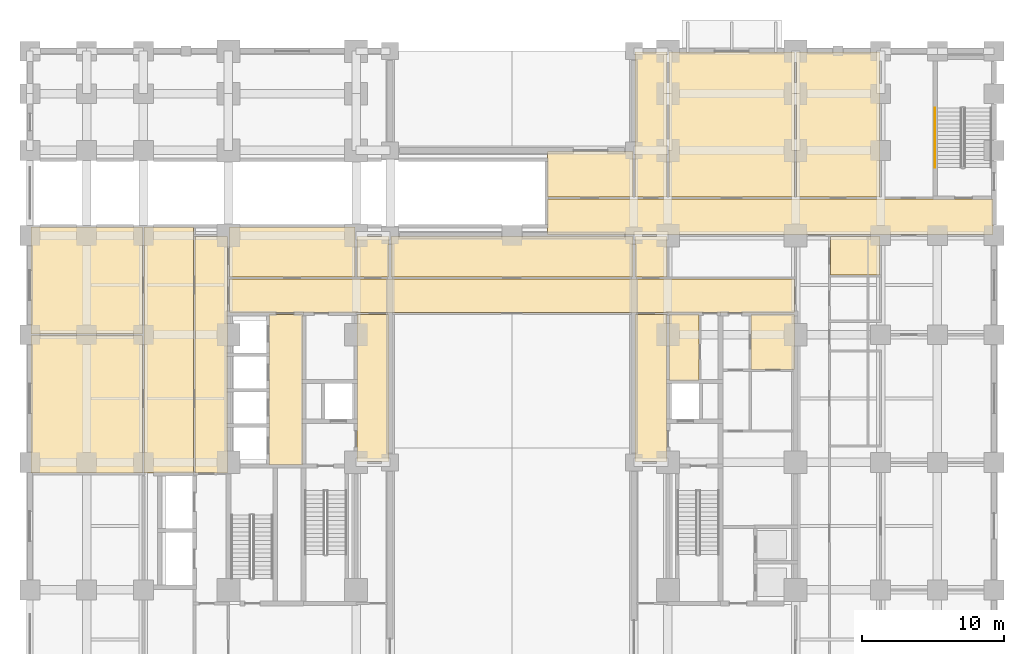
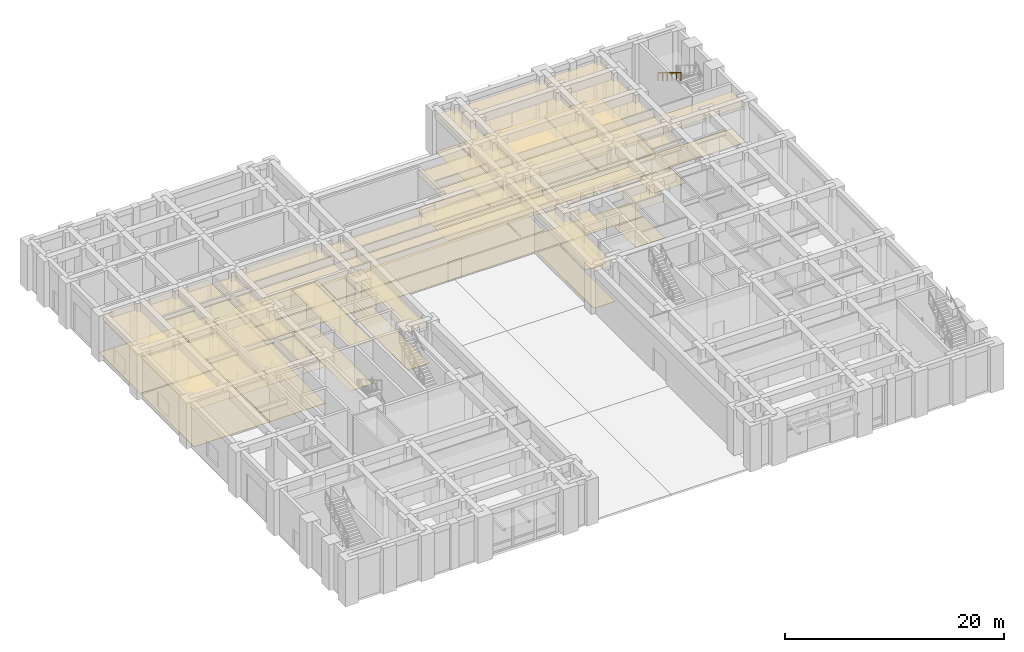
# One storey, part 17 of 20: 40 coverings, 1 railing.
"""IFC4 building model written with IfcOpenShell, lengths in metres."""

import ifcopenshell
import ifcopenshell.guid

model = None  # the IFC model being written
_history = None  # IfcOwnerHistory: only IFC2X3 demands one
_inside = {}  # id of a spatial element -> (the spatial element, [elements in it])
_under = {}  # id of a project, library or spatial element -> (it, [spatial elements below it])
_declared = {}  # id of a project -> (the project, [libraries it declares])
_typed = {}  # id of a type object -> (the type object, [elements of that type])
_made_of = {}  # id of a material, layer set ... -> (it, [elements and type objects made of it])


def new_model(schema):
    """Start an empty IFC model of exactly this schema.

    Asked for "IFC4X3", IfcOpenShell would pick the latest addendum, in which some entities
    have other attributes; the version numbers below select the first issue.
    IFC2X3 requires an IfcOwnerHistory on every rooted entity: one is made here for all.
    """
    global model, _history
    if schema == "IFC4X3":
        model = ifcopenshell.file(schema_version=(4, 3, 0, 0))
    else:
        model = ifcopenshell.file(schema=schema)
    _inside.clear()
    _under.clear()
    _declared.clear()
    _typed.clear()
    _made_of.clear()
    _history = None
    if model.schema == "IFC2X3":
        org = make("IfcOrganization", Name="unknown")
        user = make(
            "IfcPersonAndOrganization",
            ThePerson=make("IfcPerson", FamilyName="unknown"),
            TheOrganization=org,
        )
        app = make(
            "IfcApplication",
            ApplicationDeveloper=org,
            Version="unknown",
            ApplicationFullName="unknown",
            ApplicationIdentifier="unknown",
        )
        _history = make(
            "IfcOwnerHistory",
            OwningUser=user,
            OwningApplication=app,
            ChangeAction="ADDED",
            CreationDate=0,
        )
    return model


def make(cls, **values):
    """One entity of the class cls with the attributes given. An attribute that is None is left unset."""
    return model.create_entity(
        cls, **{name: value for name, value in values.items() if value is not None}
    )


def rooted(cls, **values):
    """An entity with a GlobalId (a new one), such as an element, a storey or a relation."""
    return make(cls, GlobalId=ifcopenshell.guid.new(), OwnerHistory=_history, **values)


def si_unit(unit_type, name, prefix=None):
    """IfcSIUnit, for example si_unit("LENGTHUNIT", "METRE", prefix="MILLI")."""
    return make("IfcSIUnit", UnitType=unit_type, Prefix=prefix, Name=name)


def assignment(units):
    """IfcUnitAssignment: the units of a project."""
    return None if units is None else make("IfcUnitAssignment", Units=units)


def point(xyz):
    """IfcCartesianPoint."""
    return None if xyz is None else make("IfcCartesianPoint", Coordinates=xyz)


def direction(xyz):
    """IfcDirection."""
    return None if xyz is None else make("IfcDirection", DirectionRatios=xyz)


def frame(location, z_axis=None, x_axis=None):
    """IfcAxis2Placement3D, a coordinate frame: its origin and axes. An axis left out is left unset."""
    return make(
        "IfcAxis2Placement3D",
        Location=point(location),
        Axis=direction(z_axis),
        RefDirection=direction(x_axis),
    )


def frame_2d(location, x_axis=None):
    """IfcAxis2Placement2D, a coordinate frame in the plane: its origin and x axis."""
    return make(
        "IfcAxis2Placement2D", Location=point(location), RefDirection=direction(x_axis)
    )


def origin():
    """The frame at (0, 0, 0) with its axes left unset."""
    return frame((0.0, 0.0, 0.0))


def origin_2d():
    """The frame at (0, 0) in the plane with its x axis left unset."""
    return frame_2d((0.0, 0.0))


def place(relative_to, where):
    """IfcLocalPlacement: puts the frame where relative to a parent placement (None: the world)."""
    return make(
        "IfcLocalPlacement", PlacementRelTo=relative_to, RelativePlacement=where
    )


def context(
    kind, dimensions, precision=None, world=None, true_north=None, identifier=None
):
    """IfcGeometricRepresentationContext, for example the 3D "Model" context."""
    return make(
        "IfcGeometricRepresentationContext",
        ContextIdentifier=identifier,
        ContextType=kind,
        CoordinateSpaceDimension=dimensions,
        Precision=precision,
        WorldCoordinateSystem=world,
        TrueNorth=true_north,
    )


def subcontext(parent, identifier, kind, view, scale=None):
    """IfcGeometricRepresentationSubContext, for example "Body" below "Model"."""
    return make(
        "IfcGeometricRepresentationSubContext",
        ContextIdentifier=identifier,
        ContextType=kind,
        ParentContext=parent,
        TargetScale=scale,
        TargetView=view,
    )


def project(units=None, contexts=None):
    """IfcProject with its units and contexts."""
    return rooted(
        "IfcProject",
        Name="project",
        RepresentationContexts=contexts,
        UnitsInContext=assignment(units),
    )


def spatial(cls, under=None, at=None, **own):
    """A site, building, storey or space (cls), placed at a placement, below another one or the project."""
    s = rooted(cls, ObjectPlacement=at, **own)
    if under is not None:
        _under.setdefault(under.id(), (under, []))[1].append(s)
    return s


def polyline(points):
    """IfcPolyline through the points."""
    return make("IfcPolyline", Points=[point(p) for p in points])


def profile(cls, at=None, kind="AREA", **sizes):
    """A parametric profile (cls). Its sizes go by their IFC names, for example OverallWidth=200.0."""
    return make(cls, ProfileType=kind, Position=at, **sizes)


def rectangle(**sizes):
    """IfcRectangleProfileDef."""
    return profile("IfcRectangleProfileDef", **sizes)


def outline(outer, holes=None, kind="AREA"):
    """IfcArbitraryClosedProfileDef: a profile drawn as a closed curve; with holes, ...WithVoids."""
    if holes is None:
        return make("IfcArbitraryClosedProfileDef", ProfileType=kind, OuterCurve=outer)
    return make(
        "IfcArbitraryProfileDefWithVoids",
        ProfileType=kind,
        OuterCurve=outer,
        InnerCurves=holes,
    )


def extrude(swept, where, along, depth):
    """IfcExtrudedAreaSolid: the profile swept, set in the frame where, extruded along a direction by depth."""
    return make(
        "IfcExtrudedAreaSolid",
        SweptArea=swept,
        Position=where,
        ExtrudedDirection=direction(along),
        Depth=depth,
    )


def shape(context_of_items, identifier, shape_type, items):
    """IfcShapeRepresentation: the items that make up one representation, for example the "Body"."""
    return make(
        "IfcShapeRepresentation",
        ContextOfItems=context_of_items,
        RepresentationIdentifier=identifier,
        RepresentationType=shape_type,
        Items=items,
    )


def material(Name=None, Category=None):
    """IfcMaterial."""
    return make("IfcMaterial", Name=Name, Category=Category)


def layer(
    of_material, thickness, ventilated=None, Name=None, Category=None, Priority=None
):
    """IfcMaterialLayer: one layer of a wall or slab, of a material (None: an air gap)."""
    return make(
        "IfcMaterialLayer",
        Material=of_material,
        LayerThickness=thickness,
        IsVentilated=ventilated,
        Name=Name,
        Category=Category,
        Priority=Priority,
    )


def layer_set(layers, Name=None):
    """IfcMaterialLayerSet."""
    return make("IfcMaterialLayerSet", MaterialLayers=layers, LayerSetName=Name)


def made_of(thing, what):
    """Note that an element or type object is made of a material, layer set ...; save() writes the relation."""
    if what is not None:
        _made_of.setdefault(what.id(), (what, []))[1].append(thing)
    return thing


def type_object(cls, material=None, **own):
    """A type object (cls), such as IfcWallType, which elements share."""
    return made_of(rooted(cls, **own), material)


def element(
    cls,
    number,
    at=None,
    inside=None,
    cuts=None,
    type_object=None,
    material=None,
    context=None,
    identifier="Body",
    shape_type=None,
    held_by="IfcProductDefinitionShape",
    body=None,
    shapes=None,
    **own,
):
    """One element of the class cls, such as IfcWall. Its Tag is "e" and its number.

    at: its placement. inside: the storey or other place that contains it. cuts: it is an
    opening in that element (IfcRelVoidsElement). A single representation is given by context,
    identifier, shape_type and body (its items); several are given by shapes. held_by: the class
    of the entity that holds the representations. save() writes the other relations.
    """
    e = rooted(cls, Tag="e%d" % number, ObjectPlacement=at, **own)
    if body is not None:
        shapes = [shape(context, identifier, shape_type, body)]
    if shapes is not None:
        e.Representation = make(held_by, Representations=shapes)
    if inside is not None:
        _inside.setdefault(inside.id(), (inside, []))[1].append(e)
    if cuts is not None:
        rooted(
            "IfcRelVoidsElement", RelatingBuildingElement=cuts, RelatedOpeningElement=e
        )
    if type_object is not None:
        _typed.setdefault(type_object.id(), (type_object, []))[1].append(e)
    return made_of(e, material)


def aggregate(whole, parts):
    """IfcRelAggregates: a whole, such as a stair, and the parts it consists of."""
    return rooted("IfcRelAggregates", RelatingObject=whole, RelatedObjects=parts)


def save(model, path):
    """Write the relations noted so far, then the file.

    IfcRelAggregates (storeys below a building ...), IfcRelContainedInSpatialStructure (elements
    in a storey), IfcRelDefinesByType, IfcRelAssociatesMaterial and IfcRelDeclares: one each for
    every whole, place, type object, material and project.
    """
    for whole, parts in _under.values():
        aggregate(whole, parts)
    for where, things in _inside.values():
        rooted(
            "IfcRelContainedInSpatialStructure",
            RelatedElements=things,
            RelatingStructure=where,
        )
    for kind, things in _typed.values():
        rooted("IfcRelDefinesByType", RelatedObjects=things, RelatingType=kind)
    for what, things in _made_of.values():
        rooted("IfcRelAssociatesMaterial", RelatedObjects=things, RelatingMaterial=what)
    for by, libraries in _declared.values():
        rooted("IfcRelDeclares", RelatingContext=by, RelatedDefinitions=libraries)
    model.write(path)


model = new_model("IFC4")

# Units and contexts
model_context = context("Model", 3, precision=1e-05, world=origin(), true_north=direction((0.0, 1.0)))
body_context = subcontext(model_context, "Body", "Model", "MODEL_VIEW")
ifc_project = project(units=[si_unit("LENGTHUNIT", "METRE"), si_unit("AREAUNIT", "SQUARE_METRE"), si_unit("VOLUMEUNIT", "CUBIC_METRE"), si_unit("PLANEANGLEUNIT", "RADIAN"), si_unit("MASSUNIT", "GRAM", prefix="KILO")], contexts=[model_context])

# Site, building, storey
site_placement = place(None, origin())
site = spatial("IfcSite", under=ifc_project, at=site_placement, CompositionType="ELEMENT")
building_placement = place(site_placement, origin())
building = spatial("IfcBuilding", under=site, at=building_placement, Name="Zulmaris Gate Convention Tower", CompositionType="ELEMENT")
storey_placement = place(building_placement, origin())
storey = spatial("IfcBuildingStorey", under=building, at=storey_placement, Name="L00", CompositionType="ELEMENT", Elevation=0.0)

# Coverings
ifc_material_1 = material(Name="Mineral Fibre Acoustic Ceiling Tile")
ifc_layer_1 = layer(ifc_material_1, 0.02001953125, Name="Mineral Fibre Acoustic Ceiling Tile")
ifc_layer_set_1 = layer_set([ifc_layer_1], Name="Mineral Fibre Acoustic Ceiling Tile")
covering_type_1 = type_object("IfcCoveringType", Name="CLG-ACOUSTIC-600", PredefinedType="CEILING", material=ifc_layer_set_1)
covering_1_placement = place(storey_placement, frame((0.0, 0.0, 4.099853515625)))
element("IfcCovering", 1, at=covering_1_placement, inside=storey, type_object=covering_type_1, Name="CLG-L00-R12", PredefinedType="CEILING", context=body_context, shape_type="SweptSolid", body=[
    extrude(outline(polyline([(11.06005859375, 5.760009765625), (13.18994140625, 5.760009765625), (13.18994140625, 10.43994140625), (11.06005859375, 10.43994140625), (11.06005859375, 5.760009765625)])), origin(), (0.0, 0.0, 1.0), 0.02001953125),
])
covering_2_placement = place(storey_placement, frame((0.0, 0.0, 4.809814453125)))
element("IfcCovering", 2, at=covering_2_placement, inside=storey, type_object=covering_type_1, Name="CLG-L00-R16", PredefinedType="CEILING", context=body_context, shape_type="SweptSolid", body=[
    extrude(outline(polyline([(-17.139892578125, -0.18994140625), (-14.760009765625, -0.18994140625), (-14.760009765625, 10.43994140625), (-17.139892578125, 10.43994140625), (-17.139892578125, -0.18994140625)])), origin(), (0.0, 0.0, 1.0), 0.02001953125),
])
covering_3_placement = place(storey_placement, frame((0.0, 0.0, 4.099853515625)))
element("IfcCovering", 3, at=covering_3_placement, inside=storey, type_object=covering_type_1, Name="CLG-L00-R27", PredefinedType="CEILING", context=body_context, shape_type="SweptSolid", body=[
    extrude(outline(polyline([(16.860107421875, 6.56005859375), (19.93994140625, 6.56005859375), (19.93994140625, 10.43994140625), (16.860107421875, 10.43994140625), (16.860107421875, 6.56005859375)])), origin(), (0.0, 0.0, 1.0), 0.02001953125),
])
covering_4_placement = place(storey_placement, frame((0.0, 0.0, 4.099853515625)))
element("IfcCovering", 4, at=covering_4_placement, inside=storey, type_object=covering_type_1, Name="CLG-L00-R36", PredefinedType="CEILING", context=body_context, shape_type="SweptSolid", body=[
    extrude(outline(polyline([(-10.93994140625, 0.06005859375), (-8.659912109375, 0.06005859375), (-8.659912109375, 10.43994140625), (-10.93994140625, 10.43994140625), (-10.93994140625, 0.06005859375)])), origin(), (0.0, 0.0, 1.0), 0.02001953125),
])
covering_5_placement = place(storey_placement, frame((0.0, 0.0, 4.099853515625)))
element("IfcCovering", 5, at=covering_5_placement, inside=storey, type_object=covering_type_1, Name="CLG-L00-R38", PredefinedType="CEILING", context=body_context, shape_type="SweptSolid", body=[
    extrude(outline(polyline([(8.659912109375, 0.06005859375), (10.93994140625, 0.06005859375), (10.93994140625, 10.43994140625), (8.659912109375, 10.43994140625), (8.659912109375, 0.06005859375)])), origin(), (0.0, 0.0, 1.0), 0.02001953125),
])
covering_6_placement = place(storey_placement, frame((0.0, 0.0, 4.099853515625)))
element("IfcCovering", 6, at=covering_6_placement, inside=storey, type_object=covering_type_1, Name="CLG-L00-R40", PredefinedType="CEILING", context=body_context, shape_type="SweptSolid", body=[
    extrude(outline(polyline([(-10.93994140625, 13.06005859375), (-8.659912109375, 13.06005859375), (-8.659912109375, 15.93994140625), (-10.93994140625, 15.93994140625), (-10.93994140625, 13.06005859375)])), origin(), (0.0, 0.0, 1.0), 0.02001953125),
])
covering_7_placement = place(storey_placement, frame((0.0, 0.0, 4.099853515625)))
element("IfcCovering", 7, at=covering_7_placement, inside=storey, type_object=covering_type_1, Name="CLG-L00-R41", PredefinedType="CEILING", context=body_context, shape_type="SweptSolid", body=[
    extrude(outline(polyline([(8.659912109375, 13.06005859375), (10.93994140625, 13.06005859375), (10.93994140625, 15.93994140625), (8.659912109375, 15.93994140625), (8.659912109375, 13.06005859375)])), origin(), (0.0, 0.0, 1.0), 0.02001953125),
])
covering_8_placement = place(storey_placement, frame((0.0, 0.0, 4.099853515625)))
element("IfcCovering", 8, at=covering_8_placement, inside=storey, type_object=covering_type_1, Name="CLG-L00-R42", PredefinedType="CEILING", context=body_context, shape_type="SweptSolid", body=[
    extrude(outline(polyline([(2.510009765625, 16.06005859375), (33.93994140625, 16.06005859375), (33.93994140625, 18.590087890625), (2.510009765625, 18.590087890625), (2.510009765625, 16.06005859375)])), origin(), (0.0, 0.0, 1.0), 0.02001953125),
])
covering_9_placement = place(storey_placement, frame((0.0, 0.0, 4.099853515625)))
element("IfcCovering", 9, at=covering_9_placement, inside=storey, type_object=covering_type_1, Name="CLG-L00-R43", PredefinedType="CEILING", context=body_context, shape_type="SweptSolid", body=[
    extrude(outline(polyline([(-19.93994140625, 13.06005859375), (-11.06005859375, 13.06005859375), (-11.06005859375, 16.590087890625), (-19.93994140625, 16.590087890625), (-19.93994140625, 13.06005859375)])), origin(), (0.0, 0.0, 1.0), 0.02001953125),
])
covering_10_placement = place(storey_placement, frame((0.0, 0.0, 4.099853515625)))
element("IfcCovering", 10, at=covering_10_placement, inside=storey, type_object=covering_type_1, Name="CLG-L00-R44", PredefinedType="CEILING", context=body_context, shape_type="SweptSolid", body=[
    extrude(outline(polyline([(-19.93994140625, 10.56005859375), (19.93994140625, 10.56005859375), (19.93994140625, 12.93994140625), (-19.93994140625, 12.93994140625), (-19.93994140625, 10.56005859375)])), origin(), (0.0, 0.0, 1.0), 0.02001953125),
])
covering_11_placement = place(storey_placement, frame((0.0, 0.0, 4.099853515625)))
element("IfcCovering", 11, at=covering_11_placement, inside=storey, type_object=covering_type_1, Name="CLG-L00-R45", PredefinedType="CEILING", context=body_context, shape_type="SweptSolid", body=[
    extrude(outline(polyline([(-22.340087890625, -0.739990234375), (-20.06005859375, -0.739990234375), (-20.06005859375, 15.93994140625), (-22.340087890625, 15.93994140625), (-22.340087890625, -0.739990234375)])), origin(), (0.0, 0.0, 1.0), 0.02001953125),
])
covering_12_placement = place(storey_placement, frame((0.0, 0.0, 4.099853515625)))
element("IfcCovering", 12, at=covering_12_placement, inside=storey, type_object=covering_type_1, Name="CLG-L00-R55", PredefinedType="CEILING", context=body_context, shape_type="SweptSolid", body=[
    extrude(outline(polyline([(2.510009765625, 18.7099609375), (8.5400390625, 18.7099609375), (8.5400390625, 21.93994140625), (2.510009765625, 21.93994140625), (2.510009765625, 18.7099609375)])), origin(), (0.0, 0.0, 1.0), 0.02001953125),
])
covering_13_placement = place(storey_placement, frame((0.0, 0.0, 4.099853515625)))
element("IfcCovering", 13, at=covering_13_placement, inside=storey, type_object=covering_type_1, Name="CLG-L00-R57", PredefinedType="CEILING", context=body_context, shape_type="SweptSolid", body=[
    extrude(outline(polyline([(-8.5400390625, 13.06005859375), (8.5400390625, 13.06005859375), (8.5400390625, 15.93994140625), (-8.5400390625, 15.93994140625), (-8.5400390625, 13.06005859375)])), origin(), (0.0, 0.0, 1.0), 0.02001953125),
])
covering_14_placement = place(storey_placement, frame((0.0, 0.0, 4.099853515625)))
element("IfcCovering", 14, at=covering_14_placement, inside=storey, type_object=covering_type_1, Name="CLG-L00-R64", PredefinedType="CEILING", context=body_context, shape_type="SweptSolid", body=[
    extrude(outline(polyline([(-25.93994140625, -0.739990234375), (-22.4599609375, -0.739990234375), (-22.4599609375, 16.590087890625), (-25.93994140625, 16.590087890625), (-25.93994140625, -0.739990234375)])), origin(), (0.0, 0.0, 1.0), 0.02001953125),
])
covering_15_placement = place(storey_placement, frame((0.0, 0.0, 4.099853515625)))
element("IfcCovering", 15, at=covering_15_placement, inside=storey, type_object=covering_type_1, Name="CLG-L00-R66", PredefinedType="CEILING", context=body_context, shape_type="SweptSolid", body=[
    extrude(outline(polyline([(-33.93994140625, 9.06005859375), (-26.06005859375, 9.06005859375), (-26.06005859375, 16.590087890625), (-33.93994140625, 16.590087890625), (-33.93994140625, 9.06005859375)])), origin(), (0.0, 0.0, 1.0), 0.02001953125),
])
covering_16_placement = place(storey_placement, frame((0.0, 0.0, 4.099853515625)))
element("IfcCovering", 16, at=covering_16_placement, inside=storey, type_object=covering_type_1, Name="CLG-L00-R76", PredefinedType="CEILING", context=body_context, shape_type="SweptSolid", body=[
    extrude(outline(polyline([(22.4599609375, 13.2099609375), (25.93994140625, 13.2099609375), (25.93994140625, 15.93994140625), (22.4599609375, 15.93994140625), (22.4599609375, 13.2099609375)])), origin(), (0.0, 0.0, 1.0), 0.02001953125),
])
covering_17_placement = place(storey_placement, frame((0.0, 0.0, 4.099853515625)))
element("IfcCovering", 17, at=covering_17_placement, inside=storey, type_object=covering_type_1, Name="CLG-L00-R80", PredefinedType="CEILING", context=body_context, shape_type="SweptSolid", body=[
    extrude(outline(polyline([(8.659912109375, 18.7099609375), (10.93994140625, 18.7099609375), (10.93994140625, 28.93994140625), (8.659912109375, 28.93994140625), (8.659912109375, 18.7099609375)])), origin(), (0.0, 0.0, 1.0), 0.02001953125),
])
covering_18_placement = place(storey_placement, frame((0.0, 0.0, 4.099853515625)))
element("IfcCovering", 18, at=covering_18_placement, inside=storey, type_object=covering_type_1, Name="CLG-L00-R81", PredefinedType="CEILING", context=body_context, shape_type="SweptSolid", body=[
    extrude(outline(polyline([(11.06005859375, 18.7099609375), (19.93994140625, 18.7099609375), (19.93994140625, 28.93994140625), (11.06005859375, 28.93994140625), (11.06005859375, 18.7099609375)])), origin(), (0.0, 0.0, 1.0), 0.02001953125),
])
covering_19_placement = place(storey_placement, frame((0.0, 0.0, 4.099853515625)))
element("IfcCovering", 19, at=covering_19_placement, inside=storey, type_object=covering_type_1, Name="CLG-L00-R82", PredefinedType="CEILING", context=body_context, shape_type="SweptSolid", body=[
    extrude(outline(polyline([(20.06005859375, 18.7099609375), (25.93994140625, 18.7099609375), (25.93994140625, 28.93994140625), (20.06005859375, 28.93994140625), (20.06005859375, 18.7099609375)])), origin(), (0.0, 0.0, 1.0), 0.02001953125),
])
ifc_material_2 = material(Name="Moisture-Resistant Gypsum Board")
ifc_layer_2 = layer(ifc_material_2, 0.02001953125, Name="Moisture-Resistant Gypsum Board")
ifc_layer_set_2 = layer_set([ifc_layer_2], Name="Moisture-Resistant Gypsum Board")
covering_type_2 = type_object("IfcCoveringType", Name="CLG-GYPSUM-FLUSH", PredefinedType="CEILING", material=ifc_layer_set_2)
covering_20_placement = place(storey_placement, frame((0.0, 0.0, 4.099853515625)))
element("IfcCovering", 20, at=covering_20_placement, inside=storey, type_object=covering_type_2, Name="CLG-L00-R65", PredefinedType="CEILING", context=body_context, shape_type="SweptSolid", body=[
    extrude(outline(polyline([(-33.93994140625, -0.739990234375), (-26.06005859375, -0.739990234375), (-26.06005859375, 8.93994140625), (-33.93994140625, 8.93994140625), (-33.93994140625, -0.739990234375)])), origin(), (0.0, 0.0, 1.0), 0.02001953125),
])
ifc_material_3 = material(Name="Woven Acoustic Wool Carpet Tile")
ifc_layer_3 = layer(ifc_material_3, 0.02001953125, Name="Woven Acoustic Wool Carpet Tile")
ifc_layer_set_3 = layer_set([ifc_layer_3], Name="Woven Acoustic Wool Carpet Tile")
covering_type_3 = type_object("IfcCoveringType", Name="FLR-CARPET-12", PredefinedType="FLOORING", material=ifc_layer_set_3)
covering_21_placement = place(storey_placement, origin())
element("IfcCovering", 21, at=covering_21_placement, inside=storey, type_object=covering_type_3, Name="FLR-L00-R12", PredefinedType="FLOORING", context=body_context, shape_type="SweptSolid", body=[
    extrude(outline(polyline([(11.06005859375, 5.760009765625), (13.18994140625, 5.760009765625), (13.18994140625, 10.43994140625), (11.06005859375, 10.43994140625), (11.06005859375, 5.760009765625)])), origin(), (0.0, 0.0, 1.0), 0.02001953125),
])
covering_22_placement = place(storey_placement, origin())
element("IfcCovering", 22, at=covering_22_placement, inside=storey, type_object=covering_type_3, Name="FLR-L00-R16", PredefinedType="FLOORING", context=body_context, shape_type="SweptSolid", body=[
    extrude(outline(polyline([(-17.139892578125, -0.18994140625), (-14.760009765625, -0.18994140625), (-14.760009765625, 10.43994140625), (-17.139892578125, 10.43994140625), (-17.139892578125, -0.18994140625)])), origin(), (0.0, 0.0, 1.0), 0.02001953125),
])
covering_23_placement = place(storey_placement, origin())
element("IfcCovering", 23, at=covering_23_placement, inside=storey, type_object=covering_type_3, Name="FLR-L00-R27", PredefinedType="FLOORING", context=body_context, shape_type="SweptSolid", body=[
    extrude(outline(polyline([(16.860107421875, 6.56005859375), (19.93994140625, 6.56005859375), (19.93994140625, 10.43994140625), (16.860107421875, 10.43994140625), (16.860107421875, 6.56005859375)])), origin(), (0.0, 0.0, 1.0), 0.02001953125),
])
covering_24_placement = place(storey_placement, origin())
element("IfcCovering", 24, at=covering_24_placement, inside=storey, type_object=covering_type_3, Name="FLR-L00-R36", PredefinedType="FLOORING", context=body_context, shape_type="SweptSolid", body=[
    extrude(outline(polyline([(-10.93994140625, 0.06005859375), (-8.659912109375, 0.06005859375), (-8.659912109375, 10.43994140625), (-10.93994140625, 10.43994140625), (-10.93994140625, 0.06005859375)])), origin(), (0.0, 0.0, 1.0), 0.02001953125),
])
covering_25_placement = place(storey_placement, origin())
element("IfcCovering", 25, at=covering_25_placement, inside=storey, type_object=covering_type_3, Name="FLR-L00-R38", PredefinedType="FLOORING", context=body_context, shape_type="SweptSolid", body=[
    extrude(outline(polyline([(8.659912109375, 0.06005859375), (10.93994140625, 0.06005859375), (10.93994140625, 10.43994140625), (8.659912109375, 10.43994140625), (8.659912109375, 0.06005859375)])), origin(), (0.0, 0.0, 1.0), 0.02001953125),
])
covering_26_placement = place(storey_placement, origin())
element("IfcCovering", 26, at=covering_26_placement, inside=storey, type_object=covering_type_3, Name="FLR-L00-R40", PredefinedType="FLOORING", context=body_context, shape_type="SweptSolid", body=[
    extrude(outline(polyline([(-10.93994140625, 13.06005859375), (-8.659912109375, 13.06005859375), (-8.659912109375, 15.93994140625), (-10.93994140625, 15.93994140625), (-10.93994140625, 13.06005859375)])), origin(), (0.0, 0.0, 1.0), 0.02001953125),
])
covering_27_placement = place(storey_placement, origin())
element("IfcCovering", 27, at=covering_27_placement, inside=storey, type_object=covering_type_3, Name="FLR-L00-R41", PredefinedType="FLOORING", context=body_context, shape_type="SweptSolid", body=[
    extrude(outline(polyline([(8.659912109375, 13.06005859375), (10.93994140625, 13.06005859375), (10.93994140625, 15.93994140625), (8.659912109375, 15.93994140625), (8.659912109375, 13.06005859375)])), origin(), (0.0, 0.0, 1.0), 0.02001953125),
])
covering_28_placement = place(storey_placement, origin())
element("IfcCovering", 28, at=covering_28_placement, inside=storey, type_object=covering_type_3, Name="FLR-L00-R42", PredefinedType="FLOORING", context=body_context, shape_type="SweptSolid", body=[
    extrude(outline(polyline([(2.510009765625, 16.06005859375), (33.93994140625, 16.06005859375), (33.93994140625, 18.590087890625), (2.510009765625, 18.590087890625), (2.510009765625, 16.06005859375)])), origin(), (0.0, 0.0, 1.0), 0.02001953125),
])
covering_29_placement = place(storey_placement, origin())
element("IfcCovering", 29, at=covering_29_placement, inside=storey, type_object=covering_type_3, Name="FLR-L00-R43", PredefinedType="FLOORING", context=body_context, shape_type="SweptSolid", body=[
    extrude(outline(polyline([(-19.93994140625, 13.06005859375), (-11.06005859375, 13.06005859375), (-11.06005859375, 16.590087890625), (-19.93994140625, 16.590087890625), (-19.93994140625, 13.06005859375)])), origin(), (0.0, 0.0, 1.0), 0.02001953125),
])
covering_30_placement = place(storey_placement, origin())
element("IfcCovering", 30, at=covering_30_placement, inside=storey, type_object=covering_type_3, Name="FLR-L00-R44", PredefinedType="FLOORING", context=body_context, shape_type="SweptSolid", body=[
    extrude(outline(polyline([(-19.93994140625, 10.56005859375), (19.93994140625, 10.56005859375), (19.93994140625, 12.93994140625), (-19.93994140625, 12.93994140625), (-19.93994140625, 10.56005859375)])), origin(), (0.0, 0.0, 1.0), 0.02001953125),
])
covering_31_placement = place(storey_placement, origin())
element("IfcCovering", 31, at=covering_31_placement, inside=storey, type_object=covering_type_3, Name="FLR-L00-R45", PredefinedType="FLOORING", context=body_context, shape_type="SweptSolid", body=[
    extrude(outline(polyline([(-22.340087890625, -0.739990234375), (-20.06005859375, -0.739990234375), (-20.06005859375, 15.93994140625), (-22.340087890625, 15.93994140625), (-22.340087890625, -0.739990234375)])), origin(), (0.0, 0.0, 1.0), 0.02001953125),
])
covering_32_placement = place(storey_placement, origin())
element("IfcCovering", 32, at=covering_32_placement, inside=storey, type_object=covering_type_3, Name="FLR-L00-R64", PredefinedType="FLOORING", context=body_context, shape_type="SweptSolid", body=[
    extrude(outline(polyline([(-25.93994140625, -0.739990234375), (-22.4599609375, -0.739990234375), (-22.4599609375, 16.590087890625), (-25.93994140625, 16.590087890625), (-25.93994140625, -0.739990234375)])), origin(), (0.0, 0.0, 1.0), 0.02001953125),
])
covering_33_placement = place(storey_placement, origin())
element("IfcCovering", 33, at=covering_33_placement, inside=storey, type_object=covering_type_3, Name="FLR-L00-R66", PredefinedType="FLOORING", context=body_context, shape_type="SweptSolid", body=[
    extrude(outline(polyline([(-33.93994140625, 9.06005859375), (-26.06005859375, 9.06005859375), (-26.06005859375, 16.590087890625), (-33.93994140625, 16.590087890625), (-33.93994140625, 9.06005859375)])), origin(), (0.0, 0.0, 1.0), 0.02001953125),
])
covering_34_placement = place(storey_placement, origin())
element("IfcCovering", 34, at=covering_34_placement, inside=storey, type_object=covering_type_3, Name="FLR-L00-R76", PredefinedType="FLOORING", context=body_context, shape_type="SweptSolid", body=[
    extrude(outline(polyline([(22.4599609375, 13.2099609375), (25.93994140625, 13.2099609375), (25.93994140625, 15.93994140625), (22.4599609375, 15.93994140625), (22.4599609375, 13.2099609375)])), origin(), (0.0, 0.0, 1.0), 0.02001953125),
])
covering_35_placement = place(storey_placement, origin())
element("IfcCovering", 35, at=covering_35_placement, inside=storey, type_object=covering_type_3, Name="FLR-L00-R80", PredefinedType="FLOORING", context=body_context, shape_type="SweptSolid", body=[
    extrude(outline(polyline([(8.659912109375, 18.7099609375), (10.93994140625, 18.7099609375), (10.93994140625, 28.93994140625), (8.659912109375, 28.93994140625), (8.659912109375, 18.7099609375)])), origin(), (0.0, 0.0, 1.0), 0.02001953125),
])
covering_36_placement = place(storey_placement, origin())
element("IfcCovering", 36, at=covering_36_placement, inside=storey, type_object=covering_type_3, Name="FLR-L00-R82", PredefinedType="FLOORING", context=body_context, shape_type="SweptSolid", body=[
    extrude(outline(polyline([(20.06005859375, 18.7099609375), (25.93994140625, 18.7099609375), (25.93994140625, 28.93994140625), (20.06005859375, 28.93994140625), (20.06005859375, 18.7099609375)])), origin(), (0.0, 0.0, 1.0), 0.02001953125),
])
ifc_material_4 = material(Name="Polished Granite Terrazzo Tile", Category="masonry")
ifc_layer_4 = layer(ifc_material_4, 0.02001953125, Name="Polished Granite Terrazzo Tile")
ifc_layer_set_4 = layer_set([ifc_layer_4], Name="Polished Granite Terrazzo Tile")
covering_type_4 = type_object("IfcCoveringType", Name="FLR-TERRAZZO-30", PredefinedType="FLOORING", material=ifc_layer_set_4)
covering_37_placement = place(storey_placement, origin())
element("IfcCovering", 37, at=covering_37_placement, inside=storey, type_object=covering_type_4, Name="FLR-L00-R55", PredefinedType="FLOORING", context=body_context, shape_type="SweptSolid", body=[
    extrude(outline(polyline([(2.510009765625, 18.7099609375), (8.5400390625, 18.7099609375), (8.5400390625, 21.93994140625), (2.510009765625, 21.93994140625), (2.510009765625, 18.7099609375)])), origin(), (0.0, 0.0, 1.0), 0.02001953125),
])
covering_38_placement = place(storey_placement, origin())
element("IfcCovering", 38, at=covering_38_placement, inside=storey, type_object=covering_type_4, Name="FLR-L00-R57", PredefinedType="FLOORING", context=body_context, shape_type="SweptSolid", body=[
    extrude(outline(polyline([(-8.5400390625, 13.06005859375), (8.5400390625, 13.06005859375), (8.5400390625, 15.93994140625), (-8.5400390625, 15.93994140625), (-8.5400390625, 13.06005859375)])), origin(), (0.0, 0.0, 1.0), 0.02001953125),
])
covering_39_placement = place(storey_placement, origin())
element("IfcCovering", 39, at=covering_39_placement, inside=storey, type_object=covering_type_4, Name="FLR-L00-R65", PredefinedType="FLOORING", context=body_context, shape_type="SweptSolid", body=[
    extrude(outline(polyline([(-33.93994140625, -0.739990234375), (-26.06005859375, -0.739990234375), (-26.06005859375, 8.93994140625), (-33.93994140625, 8.93994140625), (-33.93994140625, -0.739990234375)])), origin(), (0.0, 0.0, 1.0), 0.02001953125),
])
ifc_material_5 = material(Name="Engineered Teak Parquet Flooring")
ifc_layer_5 = layer(ifc_material_5, 0.02001953125, Name="Engineered Teak Parquet Flooring")
ifc_layer_set_5 = layer_set([ifc_layer_5], Name="Engineered Teak Parquet Flooring")
covering_type_5 = type_object("IfcCoveringType", Name="FLR-TIMBER-18", PredefinedType="FLOORING", material=ifc_layer_set_5)
covering_40_placement = place(storey_placement, origin())
element("IfcCovering", 40, at=covering_40_placement, inside=storey, type_object=covering_type_5, Name="FLR-L00-R81", PredefinedType="FLOORING", context=body_context, shape_type="SweptSolid", body=[
    extrude(outline(polyline([(11.06005859375, 18.7099609375), (19.93994140625, 18.7099609375), (19.93994140625, 28.93994140625), (11.06005859375, 28.93994140625), (11.06005859375, 18.7099609375)])), origin(), (0.0, 0.0, 1.0), 0.02001953125),
])

# Railing
ifc_material_6 = material(Name="Brushed Stainless Steel", Category="steel")
railing_type = type_object("IfcRailingType", Name="RL-STH-900", PredefinedType="HANDRAIL", material=ifc_material_6)
railing_placement = place(storey_placement, frame((29.830078125, 25.0, 2.889892578125)))
element("IfcRailing", 41, at=railing_placement, inside=storey, type_object=railing_type, Name="L00 ST-5 stair handrail 2", PredefinedType="HANDRAIL", context=body_context, shape_type="SweptSolid", body=[
    extrude(rectangle(XDim=0.048095703125, YDim=0.048095703125, at=origin_2d()), frame((0.0, 0.0, 0.8759765625), z_axis=(0.0, -0.854780430106, 0.518989803665), x_axis=(1.0, 0.0, 0.0)), (0.0, 0.0, 1.0), 4.91357421875),
    extrude(rectangle(XDim=0.0419921875, YDim=0.0419921875, at=origin_2d()), origin(), (0.0, 0.0, 1.0), 0.851806640625),
    extrude(rectangle(XDim=0.0419921875, YDim=0.0419921875, at=origin_2d()), frame((0.0, -0.840087890625, 0.510009765625)), (0.0, 0.0, 1.0), 0.851806640625),
    extrude(rectangle(XDim=0.0419921875, YDim=0.0419921875, at=origin_2d()), frame((0.0, -1.679931640625, 1.02001953125)), (0.0, 0.0, 1.0), 0.851806640625),
    extrude(rectangle(XDim=0.0419921875, YDim=0.0419921875, at=origin_2d()), frame((0.0, -2.52001953125, 1.530029296875)), (0.0, 0.0, 1.0), 0.851806640625),
    extrude(rectangle(XDim=0.0419921875, YDim=0.0419921875, at=origin_2d()), frame((0.0, -3.35986328125, 2.0400390625)), (0.0, 0.0, 1.0), 0.851806640625),
    extrude(rectangle(XDim=0.0419921875, YDim=0.0419921875, at=origin_2d()), frame((0.0, -4.199951171875, 2.550048828125)), (0.0, 0.0, 1.0), 0.851806640625),
])

save(model, "model.ifc")
